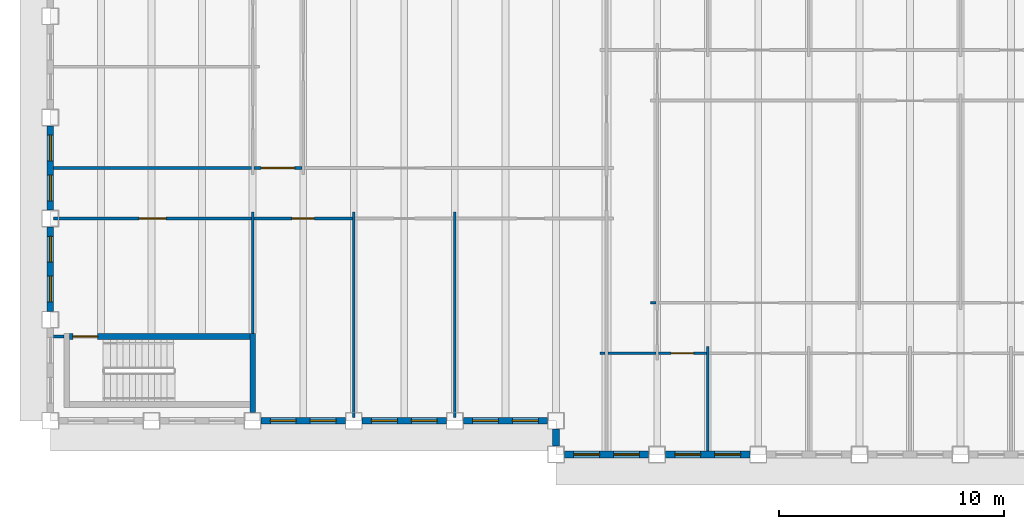
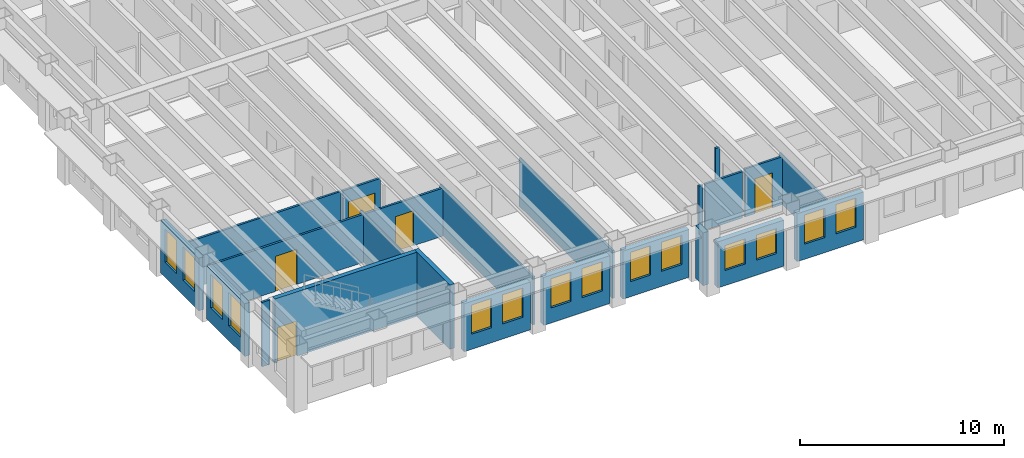
# One storey, part 3 of 17: 23 walls, 14 windows, 5 doors, 19 openings.
"""IFC4 building model written with IfcOpenShell, lengths in metres."""

from ifc_helpers import new_model, si_unit, direction, frame, frame_2d, origin, place, context, subcontext, project, spatial, rectangle, extrude, material, layer, layer_set, type_object, element, fill, save


model = new_model("IFC4")

# Units and contexts
model_context = context("Model", 3, precision=1e-05, world=origin(), true_north=direction((0.0, 1.0)))
body_context = subcontext(model_context, "Body", "Model", "MODEL_VIEW")
ifc_project = project(units=[si_unit("LENGTHUNIT", "METRE"), si_unit("AREAUNIT", "SQUARE_METRE"), si_unit("VOLUMEUNIT", "CUBIC_METRE"), si_unit("PLANEANGLEUNIT", "RADIAN"), si_unit("MASSUNIT", "GRAM", prefix="KILO")], contexts=[model_context])

# Site, building, storey
site_placement = place(None, origin())
site = spatial("IfcSite", under=ifc_project, at=site_placement, CompositionType="ELEMENT")
building_placement = place(site_placement, origin())
building = spatial("IfcBuilding", under=site, at=building_placement, Name="Sennacour Bend Tower", CompositionType="ELEMENT")
storey_placement = place(building_placement, frame((0.0, 0.0, 195.0)))
storey = spatial("IfcBuildingStorey", under=building, at=storey_placement, Name="L44", CompositionType="ELEMENT", Elevation=195.0)

# Walls
ifc_material_1 = material(Name="Plasterboard partition on steel studs", Category="steel")
ifc_layer_1 = layer(ifc_material_1, 0.1201171875, Name="Plasterboard partition on steel studs", Category="steel")
ifc_layer_set_1 = layer_set([ifc_layer_1], Name="Plasterboard partition on steel studs")
wall_type_1 = type_object("IfcWallType", Name="Partition 120", PredefinedType="PARTITIONING", material=ifc_layer_set_1)
wall_1_placement = place(storey_placement, frame((9.0, 3.875, 0.0), z_axis=(0.0, 0.0, 1.0), x_axis=(0.0, 1.0, 0.0)))
element("IfcWall", 1, at=wall_1_placement, inside=storey, type_object=wall_type_1, Name="P-L44-W011a", PredefinedType="PARTITIONING", context=body_context, shape_type="SweptSolid", body=[
    extrude(rectangle(XDim=5.425048828125, YDim=0.1201171875, at=frame_2d((2.71240234375, 0.0))), origin(), (0.0, 0.0, 1.0), 2.8701171875),
])
for number, where, z_axis, x_axis, name in (
    (2, (13.5, 0.14990234375, 0.0), (0.0, 0.0, 1.0), (0.0, 1.0, 0.0), "P-L44-W016a"),
    (3, (18.0, 0.14990234375, 0.0), (0.0, 0.0, 1.0), (0.0, 1.0, 0.0), "P-L44-W019a"),
):
    element("IfcWall", number, at=place(storey_placement, frame(where, z_axis=z_axis, x_axis=x_axis)), inside=storey, type_object=wall_type_1, Name=name, PredefinedType="PARTITIONING", context=body_context, shape_type="SweptSolid", body=[
        extrude(rectangle(XDim=9.150146484375, YDim=0.1201171875, at=frame_2d((4.5751953125, 0.0))), origin(), (0.0, 0.0, 1.0), 2.8701171875),
    ])
wall_2_placement = place(storey_placement, frame((29.25, -1.35009765625, 0.0), z_axis=(0.0, 0.0, 1.0), x_axis=(0.0, 1.0, 0.0)))
element("IfcWall", 4, at=wall_2_placement, inside=storey, type_object=wall_type_1, Name="P-L44-W026a", PredefinedType="PARTITIONING", context=body_context, shape_type="SweptSolid", body=[
    extrude(rectangle(XDim=4.650146484375, YDim=0.1201171875, at=frame_2d((2.3251953125, 0.0))), origin(), (0.0, 0.0, 1.0), 2.8701171875),
])
wall_3_placement = place(storey_placement, frame((24.449951171875, 3.0, 0.0), z_axis=(0.0, 0.0, 1.0), x_axis=(1.0, 0.0, 0.0)))
element("IfcWall", 5, at=wall_3_placement, inside=storey, type_object=wall_type_1, Name="P-L44-W053aa", PredefinedType="PARTITIONING", context=body_context, shape_type="SweptSolid", body=[
    extrude(rectangle(XDim=0.239990234375, YDim=0.1201171875, at=frame_2d((0.1201171875, 0.0))), origin(), (0.0, 0.0, 1.0), 2.760009765625),
])
wall_4_placement = place(storey_placement, frame((24.81005859375, 3.0, 0.0), z_axis=(0.0, 0.0, 1.0), x_axis=(1.0, 0.0, 0.0)))
element("IfcWall", 6, at=wall_4_placement, inside=storey, type_object=wall_type_1, Name="P-L44-W053ab", PredefinedType="PARTITIONING", context=body_context, shape_type="SweptSolid", body=[
    extrude(rectangle(XDim=2.1298828125, YDim=0.1201171875, at=frame_2d((1.06494140625, 0.0))), origin(), (0.0, 0.0, 1.0), 2.760009765625),
])

# Wall, opening, door
wall_5_placement = place(storey_placement, frame((27.06005859375, 3.0, 0.0), z_axis=(0.0, 0.0, 1.0), x_axis=(1.0, 0.0, 0.0)))
wall_5 = element("IfcWall", 7, at=wall_5_placement, inside=storey, type_object=wall_type_1, Name="P-L44-W053ac", PredefinedType="PARTITIONING", context=body_context, shape_type="SweptSolid", body=[
    extrude(rectangle(XDim=2.1298828125, YDim=0.1201171875, at=frame_2d((1.06494140625, 0.0))), origin(), (0.0, 0.0, 1.0), 2.8701171875),
])
opening_1_placement = place(wall_5_placement, frame((0.56494140625, 0.0, 0.0)))
opening_1 = element("IfcOpeningElement", 8, at=opening_1_placement, cuts=wall_5, Name="Opening OD2", PredefinedType="OPENING", context=body_context, shape_type="SweptSolid", body=[
    extrude(rectangle(XDim=1.0, YDim=2.10009765625, at=frame_2d((0.5, 1.050048828125))), frame((0.0, 0.070068359375, 0.0), z_axis=(0.0, -1.0, 0.0), x_axis=(1.0, 0.0, 0.0)), (0.0, 0.0, 1.0), 0.14013671875),
])
ifc_material_2 = material(Name="Timber", Category="wood")
door_type_1 = type_object("IfcDoorType", Name="DR-OFFICE-1000", OperationType="NOTDEFINED", PredefinedType="DOOR", material=ifc_material_2)
door_1_placement = place(opening_1_placement, origin())
door_1 = element("IfcDoor", 9, at=door_1_placement, inside=storey, type_object=door_type_1, Name="Door", OperationType="SINGLE_SWING_LEFT", OverallHeight=2.10009765625, OverallWidth=1.0, PredefinedType="DOOR", context=body_context, shape_type="SweptSolid", body=[
    extrude(rectangle(XDim=1.0, YDim=2.10009765625, at=frame_2d((0.5, 1.050048828125))), frame((0.0, 0.02490234375, 0.0), z_axis=(0.0, -1.0, 0.0), x_axis=(1.0, 0.0, 0.0)), (0.0, 0.0, 1.0), 0.050048828125),
])
fill(opening_1, door_1)

# Walls
wall_6_placement = place(storey_placement, frame((0.14990234375, 3.75, 0.0), z_axis=(0.0, 0.0, 1.0), x_axis=(1.0, 0.0, 0.0)))
element("IfcWall", 10, at=wall_6_placement, inside=storey, type_object=wall_type_1, Name="P-L44-W054a", PredefinedType="PARTITIONING", context=body_context, shape_type="SweptSolid", body=[
    extrude(rectangle(XDim=0.4501953125, YDim=0.1201171875, at=frame_2d((0.22509765625, 0.0))), origin(), (0.0, 0.0, 1.0), 3.85009765625),
])
wall_7_placement = place(storey_placement, frame((26.699951171875, 5.25, 0.0), z_axis=(0.0, 0.0, 1.0), x_axis=(1.0, 0.0, 0.0)))
element("IfcWall", 11, at=wall_7_placement, inside=storey, type_object=wall_type_1, Name="P-L44-W058aa", PredefinedType="PARTITIONING", context=body_context, shape_type="SweptSolid", body=[
    extrude(rectangle(XDim=0.239990234375, YDim=0.1201171875, at=frame_2d((0.1201171875, 0.0))), origin(), (0.0, 0.0, 1.0), 2.8701171875),
])

# Wall, opening, door
wall_8_placement = place(storey_placement, frame((9.06005859375, 9.0, 0.0), z_axis=(0.0, 0.0, 1.0), x_axis=(1.0, 0.0, 0.0)))
wall_8 = element("IfcWall", 12, at=wall_8_placement, inside=storey, type_object=wall_type_1, Name="P-L44-W061ab", PredefinedType="PARTITIONING", context=body_context, shape_type="SweptSolid", body=[
    extrude(rectangle(XDim=4.3798828125, YDim=0.1201171875, at=frame_2d((2.18994140625, 0.0))), origin(), (0.0, 0.0, 1.0), 2.8701171875),
])
opening_2_placement = place(wall_8_placement, frame((1.68994140625, 0.0, 0.0)))
opening_2 = element("IfcOpeningElement", 13, at=opening_2_placement, cuts=wall_8, Name="Opening OD2", PredefinedType="OPENING", context=body_context, shape_type="SweptSolid", body=[
    extrude(rectangle(XDim=1.0, YDim=2.10009765625, at=frame_2d((0.5, 1.050048828125))), frame((0.0, 0.070068359375, 0.0), z_axis=(0.0, -1.0, 0.0), x_axis=(1.0, 0.0, 0.0)), (0.0, 0.0, 1.0), 0.14013671875),
])
door_2_placement = place(opening_2_placement, origin())
door_2 = element("IfcDoor", 14, at=door_2_placement, inside=storey, type_object=door_type_1, Name="Door", OperationType="SINGLE_SWING_LEFT", OverallHeight=2.10009765625, OverallWidth=1.0, PredefinedType="DOOR", context=body_context, shape_type="SweptSolid", body=[
    extrude(rectangle(XDim=1.0, YDim=2.10009765625, at=frame_2d((0.5, 1.050048828125))), frame((0.0, 0.02490234375, 0.0), z_axis=(0.0, -1.0, 0.0), x_axis=(1.0, 0.0, 0.0)), (0.0, 0.0, 1.0), 0.050048828125),
])
fill(opening_2, door_2)

# Wall
wall_9_placement = place(storey_placement, frame((0.14990234375, 11.25, 0.0), z_axis=(0.0, 0.0, 1.0), x_axis=(1.0, 0.0, 0.0)))
element("IfcWall", 15, at=wall_9_placement, inside=storey, type_object=wall_type_1, Name="P-L44-W063aa", PredefinedType="PARTITIONING", context=body_context, shape_type="SweptSolid", body=[
    extrude(rectangle(XDim=8.7900390625, YDim=0.1201171875, at=frame_2d((4.39501953125, 0.0))), origin(), (0.0, 0.0, 1.0), 2.8701171875),
])

# Wall, opening, door
ifc_layer_2 = layer(ifc_material_1, 0.1201171875, Name="Plasterboard partition on steel studs", Category="steel")
ifc_layer_set_2 = layer_set([ifc_layer_2], Name="Plasterboard partition on steel studs")
wall_type_2 = type_object("IfcWallType", Name="Partition 120 EI 30", PredefinedType="PARTITIONING", material=ifc_layer_set_2)
wall_10_placement = place(storey_placement, frame((0.14990234375, 9.0, 0.0), z_axis=(0.0, 0.0, 1.0), x_axis=(1.0, 0.0, 0.0)))
wall_10 = element("IfcWall", 16, at=wall_10_placement, inside=storey, type_object=wall_type_2, Name="P-L44-W061aa", PredefinedType="PARTITIONING", context=body_context, shape_type="SweptSolid", body=[
    extrude(rectangle(XDim=8.7900390625, YDim=0.1201171875, at=frame_2d((4.39501953125, 0.0))), origin(), (0.0, 0.0, 1.0), 2.8701171875),
])
opening_3_placement = place(wall_10_placement, frame((3.80517578125, 0.0, 0.0)))
opening_3 = element("IfcOpeningElement", 17, at=opening_3_placement, cuts=wall_10, Name="Opening KD2", PredefinedType="OPENING", context=body_context, shape_type="SweptSolid", body=[
    extrude(rectangle(XDim=1.199951171875, YDim=2.10009765625, at=frame_2d((0.60009765625, 1.050048828125))), frame((0.0, 0.070068359375, 0.0), z_axis=(0.0, -1.0, 0.0), x_axis=(1.0, 0.0, 0.0)), (0.0, 0.0, 1.0), 0.14013671875),
])
ifc_material_3 = material(Name="Painted steel", Category="steel")
door_type_2 = type_object("IfcDoorType", Name="DR-CORRIDOR-1200", OperationType="NOTDEFINED", PredefinedType="DOOR", material=ifc_material_3)
door_3_placement = place(opening_3_placement, origin())
door_3 = element("IfcDoor", 18, at=door_3_placement, inside=storey, type_object=door_type_2, Name="Door", OperationType="SINGLE_SWING_LEFT", OverallHeight=2.10009765625, OverallWidth=1.199951171875, PredefinedType="DOOR", context=body_context, shape_type="SweptSolid", body=[
    extrude(rectangle(XDim=1.199951171875, YDim=2.10009765625, at=frame_2d((0.60009765625, 1.050048828125))), frame((0.0, 0.02490234375, 0.0), z_axis=(0.0, -1.0, 0.0), x_axis=(1.0, 0.0, 0.0)), (0.0, 0.0, 1.0), 0.050048828125),
])
fill(opening_3, door_3)

wall_11_placement = place(storey_placement, frame((9.06005859375, 11.25, 0.0), z_axis=(0.0, 0.0, 1.0), x_axis=(1.0, 0.0, 0.0)))
wall_11 = element("IfcWall", 19, at=wall_11_placement, inside=storey, type_object=wall_type_2, Name="P-L44-W063ab", PredefinedType="PARTITIONING", context=body_context, shape_type="SweptSolid", body=[
    extrude(rectangle(XDim=2.1298828125, YDim=0.1201171875, at=frame_2d((1.06494140625, 0.0))), origin(), (0.0, 0.0, 1.0), 2.8701171875),
])
opening_4_placement = place(wall_11_placement, frame((0.31494140625, 0.0, 0.0)))
opening_4 = element("IfcOpeningElement", 20, at=opening_4_placement, cuts=wall_11, Name="Opening KD", PredefinedType="OPENING", context=body_context, shape_type="SweptSolid", body=[
    extrude(rectangle(XDim=1.5, YDim=2.10009765625, at=frame_2d((0.75, 1.050048828125))), frame((0.0, 0.070068359375, 0.0), z_axis=(0.0, -1.0, 0.0), x_axis=(1.0, 0.0, 0.0)), (0.0, 0.0, 1.0), 0.14013671875),
])
door_type_3 = type_object("IfcDoorType", Name="DR-CORRIDOR-1500", OperationType="NOTDEFINED", PredefinedType="DOOR", material=ifc_material_3)
door_4_placement = place(opening_4_placement, origin())
door_4 = element("IfcDoor", 21, at=door_4_placement, inside=storey, type_object=door_type_3, Name="Door", OperationType="SINGLE_SWING_LEFT", OverallHeight=2.10009765625, OverallWidth=1.5, PredefinedType="DOOR", context=body_context, shape_type="SweptSolid", body=[
    extrude(rectangle(XDim=1.5, YDim=2.10009765625, at=frame_2d((0.75, 1.050048828125))), frame((0.0, 0.02490234375, 0.0), z_axis=(0.0, -1.0, 0.0), x_axis=(1.0, 0.0, 0.0)), (0.0, 0.0, 1.0), 0.050048828125),
])
fill(opening_4, door_4)

# Wall, openings, windows
ifc_material_4 = material(Name="Warm limestone cladding", Category="masonry")
ifc_layer_3 = layer(ifc_material_4, 0.050048828125, Name="Warm limestone cladding", Category="masonry")
ifc_material_5 = material(Name="Precast concrete C40/50", Category="concrete")
ifc_layer_4 = layer(ifc_material_5, 0.25, Name="Precast concrete C40/50", Category="concrete")
ifc_layer_set_3 = layer_set([ifc_layer_3, ifc_layer_4], Name="Precast concrete C40/50 with limestone cladding")
wall_type_3 = type_object("IfcWallType", Name="STONE-CLAD PRECAST SPANDREL 300", PredefinedType="STANDARD", material=ifc_layer_set_3)
wall_12_placement = place(storey_placement, frame((22.875, -1.5, 0.0), z_axis=(0.0, 0.0, 1.0), x_axis=(1.0, 0.0, 0.0)))
wall_12 = element("IfcWall", 22, at=wall_12_placement, inside=storey, type_object=wall_type_3, Name="Stone spandrel and pier wall L44 00.00", PredefinedType="STANDARD", context=body_context, shape_type="SweptSolid", body=[
    extrude(rectangle(XDim=3.75, YDim=0.300048828125, at=frame_2d((1.875, 0.0))), origin(), (0.0, 0.0, 1.0), 2.760009765625),
])
opening_5_placement = place(wall_12_placement, frame((0.41259765625, 0.0, 0.89990234375)))
opening_5 = element("IfcOpeningElement", 23, at=opening_5_placement, cuts=wall_12, Name="Opening W22", PredefinedType="OPENING", context=body_context, shape_type="SweptSolid", body=[
    extrude(rectangle(XDim=1.14990234375, YDim=1.5, at=frame_2d((0.574951171875, 0.75))), frame((0.0, 0.16015625, 0.0), z_axis=(0.0, -1.0, 0.0), x_axis=(1.0, 0.0, 0.0)), (0.0, 0.0, 1.0), 0.320068359375),
])
opening_6_placement = place(wall_12_placement, frame((2.1875, 0.0, 0.89990234375)))
opening_6 = element("IfcOpeningElement", 24, at=opening_6_placement, cuts=wall_12, Name="Opening W22", PredefinedType="OPENING", context=body_context, shape_type="SweptSolid", body=[
    extrude(rectangle(XDim=1.14990234375, YDim=1.5, at=frame_2d((0.574951171875, 0.75))), frame((0.0, 0.16015625, 0.0), z_axis=(0.0, -1.0, 0.0), x_axis=(1.0, 0.0, 0.0)), (0.0, 0.0, 1.0), 0.320068359375),
])
ifc_material_6 = material(Name="Clear low-emissivity glass", Category="glass")
window_type_1 = type_object("IfcWindowType", Name="WIN-RIBBON-1150x1500", PartitioningType="SINGLE_PANEL", PredefinedType="WINDOW", material=ifc_material_6)
window_1_placement = place(opening_5_placement, origin())
window_1 = element("IfcWindow", 25, at=window_1_placement, inside=storey, type_object=window_type_1, Name="Ribbon window L44 00.00.0", OverallHeight=1.5, OverallWidth=1.14990234375, PartitioningType="SINGLE_PANEL", PredefinedType="WINDOW", context=body_context, shape_type="SweptSolid", body=[
    extrude(rectangle(XDim=1.14990234375, YDim=1.5, at=frame_2d((0.574951171875, 0.75))), frame((0.0, 0.030029296875, 0.0), z_axis=(0.0, -1.0, 0.0), x_axis=(1.0, 0.0, 0.0)), (0.0, 0.0, 1.0), 0.06005859375),
])
fill(opening_5, window_1)
window_2_placement = place(opening_6_placement, origin())
window_2 = element("IfcWindow", 26, at=window_2_placement, inside=storey, type_object=window_type_1, Name="Ribbon window L44 00.00.1", OverallHeight=1.5, OverallWidth=1.14990234375, PartitioningType="SINGLE_PANEL", PredefinedType="WINDOW", context=body_context, shape_type="SweptSolid", body=[
    extrude(rectangle(XDim=1.14990234375, YDim=1.5, at=frame_2d((0.574951171875, 0.75))), frame((0.0, 0.030029296875, 0.0), z_axis=(0.0, -1.0, 0.0), x_axis=(1.0, 0.0, 0.0)), (0.0, 0.0, 1.0), 0.06005859375),
])
fill(opening_6, window_2)

wall_13_placement = place(storey_placement, frame((27.375, -1.5, 0.0), z_axis=(0.0, 0.0, 1.0), x_axis=(1.0, 0.0, 0.0)))
wall_13 = element("IfcWall", 27, at=wall_13_placement, inside=storey, type_object=wall_type_3, Name="Stone spandrel and pier wall L44 00.01", PredefinedType="STANDARD", context=body_context, shape_type="SweptSolid", body=[
    extrude(rectangle(XDim=3.75, YDim=0.300048828125, at=frame_2d((1.875, 0.0))), origin(), (0.0, 0.0, 1.0), 2.8701171875),
])
opening_7_placement = place(wall_13_placement, frame((0.41259765625, 0.0, 0.89990234375)))
opening_7 = element("IfcOpeningElement", 28, at=opening_7_placement, cuts=wall_13, Name="Opening W23", PredefinedType="OPENING", context=body_context, shape_type="SweptSolid", body=[
    extrude(rectangle(XDim=1.14990234375, YDim=1.75, at=frame_2d((0.574951171875, 0.875))), frame((0.0, 0.16015625, 0.0), z_axis=(0.0, -1.0, 0.0), x_axis=(1.0, 0.0, 0.0)), (0.0, 0.0, 1.0), 0.320068359375),
])
opening_8_placement = place(wall_13_placement, frame((2.1875, 0.0, 0.89990234375)))
opening_8 = element("IfcOpeningElement", 29, at=opening_8_placement, cuts=wall_13, Name="Opening W23", PredefinedType="OPENING", context=body_context, shape_type="SweptSolid", body=[
    extrude(rectangle(XDim=1.14990234375, YDim=1.75, at=frame_2d((0.574951171875, 0.875))), frame((0.0, 0.16015625, 0.0), z_axis=(0.0, -1.0, 0.0), x_axis=(1.0, 0.0, 0.0)), (0.0, 0.0, 1.0), 0.320068359375),
])
window_type_2 = type_object("IfcWindowType", Name="WIN-RIBBON-1150x1750", PartitioningType="SINGLE_PANEL", PredefinedType="WINDOW", material=ifc_material_6)
window_3_placement = place(opening_7_placement, origin())
window_3 = element("IfcWindow", 30, at=window_3_placement, inside=storey, type_object=window_type_2, Name="Ribbon window L44 00.01.0", OverallHeight=1.75, OverallWidth=1.14990234375, PartitioningType="SINGLE_PANEL", PredefinedType="WINDOW", context=body_context, shape_type="SweptSolid", body=[
    extrude(rectangle(XDim=1.14990234375, YDim=1.75, at=frame_2d((0.574951171875, 0.875))), frame((0.0, 0.030029296875, 0.0), z_axis=(0.0, -1.0, 0.0), x_axis=(1.0, 0.0, 0.0)), (0.0, 0.0, 1.0), 0.06005859375),
])
fill(opening_7, window_3)
window_4_placement = place(opening_8_placement, origin())
window_4 = element("IfcWindow", 31, at=window_4_placement, inside=storey, type_object=window_type_2, Name="Ribbon window L44 00.01.1", OverallHeight=1.75, OverallWidth=1.14990234375, PartitioningType="SINGLE_PANEL", PredefinedType="WINDOW", context=body_context, shape_type="SweptSolid", body=[
    extrude(rectangle(XDim=1.14990234375, YDim=1.75, at=frame_2d((0.574951171875, 0.875))), frame((0.0, 0.030029296875, 0.0), z_axis=(0.0, -1.0, 0.0), x_axis=(1.0, 0.0, 0.0)), (0.0, 0.0, 1.0), 0.06005859375),
])
fill(opening_8, window_4)

wall_14_placement = place(storey_placement, frame((0.0, 13.125, 0.0), z_axis=(0.0, 0.0, 1.0), x_axis=(0.0, -1.0, 0.0)))
wall_14 = element("IfcWall", 32, at=wall_14_placement, inside=storey, type_object=wall_type_3, Name="Stone spandrel and pier wall L44 21.02", PredefinedType="STANDARD", context=body_context, shape_type="SweptSolid", body=[
    extrude(rectangle(XDim=3.75, YDim=0.300048828125, at=frame_2d((1.875, 0.0))), origin(), (0.0, 0.0, 1.0), 3.156982421875),
])
opening_9_placement = place(wall_14_placement, frame((0.41259765625, 0.0, 0.89990234375)))
opening_9 = element("IfcOpeningElement", 33, at=opening_9_placement, cuts=wall_14, Name="Opening W24", PredefinedType="OPENING", context=body_context, shape_type="SweptSolid", body=[
    extrude(rectangle(XDim=1.14990234375, YDim=2.0, at=frame_2d((0.574951171875, 1.0))), frame((0.0, 0.16015625, 0.0), z_axis=(0.0, -1.0, 0.0), x_axis=(1.0, 0.0, 0.0)), (0.0, 0.0, 1.0), 0.320068359375),
])
opening_10_placement = place(wall_14_placement, frame((2.1875, 0.0, 0.89990234375)))
opening_10 = element("IfcOpeningElement", 34, at=opening_10_placement, cuts=wall_14, Name="Opening W24", PredefinedType="OPENING", context=body_context, shape_type="SweptSolid", body=[
    extrude(rectangle(XDim=1.14990234375, YDim=2.0, at=frame_2d((0.574951171875, 1.0))), frame((0.0, 0.16015625, 0.0), z_axis=(0.0, -1.0, 0.0), x_axis=(1.0, 0.0, 0.0)), (0.0, 0.0, 1.0), 0.320068359375),
])
window_type_3 = type_object("IfcWindowType", Name="WIN-RIBBON-1150x2000", PartitioningType="SINGLE_PANEL", PredefinedType="WINDOW", material=ifc_material_6)
window_5_placement = place(opening_9_placement, origin())
window_5 = element("IfcWindow", 35, at=window_5_placement, inside=storey, type_object=window_type_3, Name="Ribbon window L44 21.02.0", OverallHeight=2.0, OverallWidth=1.14990234375, PartitioningType="SINGLE_PANEL", PredefinedType="WINDOW", context=body_context, shape_type="SweptSolid", body=[
    extrude(rectangle(XDim=1.14990234375, YDim=2.0, at=frame_2d((0.574951171875, 1.0))), frame((0.0, 0.030029296875, 0.0), z_axis=(0.0, -1.0, 0.0), x_axis=(1.0, 0.0, 0.0)), (0.0, 0.0, 1.0), 0.06005859375),
])
fill(opening_9, window_5)
window_6_placement = place(opening_10_placement, origin())
window_6 = element("IfcWindow", 36, at=window_6_placement, inside=storey, type_object=window_type_3, Name="Ribbon window L44 21.02.1", OverallHeight=2.0, OverallWidth=1.14990234375, PartitioningType="SINGLE_PANEL", PredefinedType="WINDOW", context=body_context, shape_type="SweptSolid", body=[
    extrude(rectangle(XDim=1.14990234375, YDim=2.0, at=frame_2d((0.574951171875, 1.0))), frame((0.0, 0.030029296875, 0.0), z_axis=(0.0, -1.0, 0.0), x_axis=(1.0, 0.0, 0.0)), (0.0, 0.0, 1.0), 0.06005859375),
])
fill(opening_10, window_6)

wall_15_placement = place(storey_placement, frame((0.0, 8.625, 0.0), z_axis=(0.0, 0.0, 1.0), x_axis=(0.0, -1.0, 0.0)))
wall_15 = element("IfcWall", 37, at=wall_15_placement, inside=storey, type_object=wall_type_3, Name="Stone spandrel and pier wall L44 21.03", PredefinedType="STANDARD", context=body_context, shape_type="SweptSolid", body=[
    extrude(rectangle(XDim=3.75, YDim=0.300048828125, at=frame_2d((1.875, 0.0))), origin(), (0.0, 0.0, 1.0), 3.156982421875),
])
opening_11_placement = place(wall_15_placement, frame((0.41259765625, 0.0, 0.89990234375)))
opening_11 = element("IfcOpeningElement", 38, at=opening_11_placement, cuts=wall_15, Name="Opening W24", PredefinedType="OPENING", context=body_context, shape_type="SweptSolid", body=[
    extrude(rectangle(XDim=1.14990234375, YDim=2.0, at=frame_2d((0.574951171875, 1.0))), frame((0.0, 0.16015625, 0.0), z_axis=(0.0, -1.0, 0.0), x_axis=(1.0, 0.0, 0.0)), (0.0, 0.0, 1.0), 0.320068359375),
])
opening_12_placement = place(wall_15_placement, frame((2.1875, 0.0, 0.89990234375)))
opening_12 = element("IfcOpeningElement", 39, at=opening_12_placement, cuts=wall_15, Name="Opening W24", PredefinedType="OPENING", context=body_context, shape_type="SweptSolid", body=[
    extrude(rectangle(XDim=1.14990234375, YDim=2.0, at=frame_2d((0.574951171875, 1.0))), frame((0.0, 0.16015625, 0.0), z_axis=(0.0, -1.0, 0.0), x_axis=(1.0, 0.0, 0.0)), (0.0, 0.0, 1.0), 0.320068359375),
])
window_7_placement = place(opening_11_placement, origin())
window_7 = element("IfcWindow", 40, at=window_7_placement, inside=storey, type_object=window_type_3, Name="Ribbon window L44 21.03.0", OverallHeight=2.0, OverallWidth=1.14990234375, PartitioningType="SINGLE_PANEL", PredefinedType="WINDOW", context=body_context, shape_type="SweptSolid", body=[
    extrude(rectangle(XDim=1.14990234375, YDim=2.0, at=frame_2d((0.574951171875, 1.0))), frame((0.0, 0.030029296875, 0.0), z_axis=(0.0, -1.0, 0.0), x_axis=(1.0, 0.0, 0.0)), (0.0, 0.0, 1.0), 0.06005859375),
])
fill(opening_11, window_7)
window_8_placement = place(opening_12_placement, origin())
window_8 = element("IfcWindow", 41, at=window_8_placement, inside=storey, type_object=window_type_3, Name="Ribbon window L44 21.03.1", OverallHeight=2.0, OverallWidth=1.14990234375, PartitioningType="SINGLE_PANEL", PredefinedType="WINDOW", context=body_context, shape_type="SweptSolid", body=[
    extrude(rectangle(XDim=1.14990234375, YDim=2.0, at=frame_2d((0.574951171875, 1.0))), frame((0.0, 0.030029296875, 0.0), z_axis=(0.0, -1.0, 0.0), x_axis=(1.0, 0.0, 0.0)), (0.0, 0.0, 1.0), 0.06005859375),
])
fill(opening_12, window_8)

wall_16_placement = place(storey_placement, frame((9.375, 0.0, 0.0), z_axis=(0.0, 0.0, 1.0), x_axis=(1.0, 0.0, 0.0)))
wall_16 = element("IfcWall", 42, at=wall_16_placement, inside=storey, type_object=wall_type_3, Name="Stone spandrel and pier wall L44 22.02", PredefinedType="STANDARD", context=body_context, shape_type="SweptSolid", body=[
    extrude(rectangle(XDim=3.75, YDim=0.300048828125, at=frame_2d((1.875, 0.0))), origin(), (0.0, 0.0, 1.0), 2.8701171875),
])
opening_13_placement = place(wall_16_placement, frame((0.41259765625, 0.0, 0.89990234375)))
opening_13 = element("IfcOpeningElement", 43, at=opening_13_placement, cuts=wall_16, Name="Opening W23", PredefinedType="OPENING", context=body_context, shape_type="SweptSolid", body=[
    extrude(rectangle(XDim=1.14990234375, YDim=1.75, at=frame_2d((0.574951171875, 0.875))), frame((0.0, 0.16015625, 0.0), z_axis=(0.0, -1.0, 0.0), x_axis=(1.0, 0.0, 0.0)), (0.0, 0.0, 1.0), 0.320068359375),
])
opening_14_placement = place(wall_16_placement, frame((2.1875, 0.0, 0.89990234375)))
opening_14 = element("IfcOpeningElement", 44, at=opening_14_placement, cuts=wall_16, Name="Opening W23", PredefinedType="OPENING", context=body_context, shape_type="SweptSolid", body=[
    extrude(rectangle(XDim=1.14990234375, YDim=1.75, at=frame_2d((0.574951171875, 0.875))), frame((0.0, 0.16015625, 0.0), z_axis=(0.0, -1.0, 0.0), x_axis=(1.0, 0.0, 0.0)), (0.0, 0.0, 1.0), 0.320068359375),
])
window_9_placement = place(opening_13_placement, origin())
window_9 = element("IfcWindow", 45, at=window_9_placement, inside=storey, type_object=window_type_2, Name="Ribbon window L44 22.02.0", OverallHeight=1.75, OverallWidth=1.14990234375, PartitioningType="SINGLE_PANEL", PredefinedType="WINDOW", context=body_context, shape_type="SweptSolid", body=[
    extrude(rectangle(XDim=1.14990234375, YDim=1.75, at=frame_2d((0.574951171875, 0.875))), frame((0.0, 0.030029296875, 0.0), z_axis=(0.0, -1.0, 0.0), x_axis=(1.0, 0.0, 0.0)), (0.0, 0.0, 1.0), 0.06005859375),
])
fill(opening_13, window_9)
window_10_placement = place(opening_14_placement, origin())
window_10 = element("IfcWindow", 46, at=window_10_placement, inside=storey, type_object=window_type_2, Name="Ribbon window L44 22.02.1", OverallHeight=1.75, OverallWidth=1.14990234375, PartitioningType="SINGLE_PANEL", PredefinedType="WINDOW", context=body_context, shape_type="SweptSolid", body=[
    extrude(rectangle(XDim=1.14990234375, YDim=1.75, at=frame_2d((0.574951171875, 0.875))), frame((0.0, 0.030029296875, 0.0), z_axis=(0.0, -1.0, 0.0), x_axis=(1.0, 0.0, 0.0)), (0.0, 0.0, 1.0), 0.06005859375),
])
fill(opening_14, window_10)

wall_17_placement = place(storey_placement, frame((13.875, 0.0, 0.0), z_axis=(0.0, 0.0, 1.0), x_axis=(1.0, 0.0, 0.0)))
wall_17 = element("IfcWall", 47, at=wall_17_placement, inside=storey, type_object=wall_type_3, Name="Stone spandrel and pier wall L44 22.03", PredefinedType="STANDARD", context=body_context, shape_type="SweptSolid", body=[
    extrude(rectangle(XDim=3.75, YDim=0.300048828125, at=frame_2d((1.875, 0.0))), origin(), (0.0, 0.0, 1.0), 2.8701171875),
])
opening_15_placement = place(wall_17_placement, frame((0.41259765625, 0.0, 0.89990234375)))
opening_15 = element("IfcOpeningElement", 48, at=opening_15_placement, cuts=wall_17, Name="Opening W23", PredefinedType="OPENING", context=body_context, shape_type="SweptSolid", body=[
    extrude(rectangle(XDim=1.14990234375, YDim=1.75, at=frame_2d((0.574951171875, 0.875))), frame((0.0, 0.16015625, 0.0), z_axis=(0.0, -1.0, 0.0), x_axis=(1.0, 0.0, 0.0)), (0.0, 0.0, 1.0), 0.320068359375),
])
opening_16_placement = place(wall_17_placement, frame((2.1875, 0.0, 0.89990234375)))
opening_16 = element("IfcOpeningElement", 49, at=opening_16_placement, cuts=wall_17, Name="Opening W23", PredefinedType="OPENING", context=body_context, shape_type="SweptSolid", body=[
    extrude(rectangle(XDim=1.14990234375, YDim=1.75, at=frame_2d((0.574951171875, 0.875))), frame((0.0, 0.16015625, 0.0), z_axis=(0.0, -1.0, 0.0), x_axis=(1.0, 0.0, 0.0)), (0.0, 0.0, 1.0), 0.320068359375),
])
window_11_placement = place(opening_15_placement, origin())
window_11 = element("IfcWindow", 50, at=window_11_placement, inside=storey, type_object=window_type_2, Name="Ribbon window L44 22.03.0", OverallHeight=1.75, OverallWidth=1.14990234375, PartitioningType="SINGLE_PANEL", PredefinedType="WINDOW", context=body_context, shape_type="SweptSolid", body=[
    extrude(rectangle(XDim=1.14990234375, YDim=1.75, at=frame_2d((0.574951171875, 0.875))), frame((0.0, 0.030029296875, 0.0), z_axis=(0.0, -1.0, 0.0), x_axis=(1.0, 0.0, 0.0)), (0.0, 0.0, 1.0), 0.06005859375),
])
fill(opening_15, window_11)
window_12_placement = place(opening_16_placement, origin())
window_12 = element("IfcWindow", 51, at=window_12_placement, inside=storey, type_object=window_type_2, Name="Ribbon window L44 22.03.1", OverallHeight=1.75, OverallWidth=1.14990234375, PartitioningType="SINGLE_PANEL", PredefinedType="WINDOW", context=body_context, shape_type="SweptSolid", body=[
    extrude(rectangle(XDim=1.14990234375, YDim=1.75, at=frame_2d((0.574951171875, 0.875))), frame((0.0, 0.030029296875, 0.0), z_axis=(0.0, -1.0, 0.0), x_axis=(1.0, 0.0, 0.0)), (0.0, 0.0, 1.0), 0.06005859375),
])
fill(opening_16, window_12)

wall_18_placement = place(storey_placement, frame((18.375, 0.0, 0.0), z_axis=(0.0, 0.0, 1.0), x_axis=(1.0, 0.0, 0.0)))
wall_18 = element("IfcWall", 52, at=wall_18_placement, inside=storey, type_object=wall_type_3, Name="Stone spandrel and pier wall L44 22.04", PredefinedType="STANDARD", context=body_context, shape_type="SweptSolid", body=[
    extrude(rectangle(XDim=3.75, YDim=0.300048828125, at=frame_2d((1.875, 0.0))), origin(), (0.0, 0.0, 1.0), 2.8701171875),
])
opening_17_placement = place(wall_18_placement, frame((0.41259765625, 0.0, 0.89990234375)))
opening_17 = element("IfcOpeningElement", 53, at=opening_17_placement, cuts=wall_18, Name="Opening W23", PredefinedType="OPENING", context=body_context, shape_type="SweptSolid", body=[
    extrude(rectangle(XDim=1.14990234375, YDim=1.75, at=frame_2d((0.574951171875, 0.875))), frame((0.0, 0.16015625, 0.0), z_axis=(0.0, -1.0, 0.0), x_axis=(1.0, 0.0, 0.0)), (0.0, 0.0, 1.0), 0.320068359375),
])
opening_18_placement = place(wall_18_placement, frame((2.1875, 0.0, 0.89990234375)))
opening_18 = element("IfcOpeningElement", 54, at=opening_18_placement, cuts=wall_18, Name="Opening W23", PredefinedType="OPENING", context=body_context, shape_type="SweptSolid", body=[
    extrude(rectangle(XDim=1.14990234375, YDim=1.75, at=frame_2d((0.574951171875, 0.875))), frame((0.0, 0.16015625, 0.0), z_axis=(0.0, -1.0, 0.0), x_axis=(1.0, 0.0, 0.0)), (0.0, 0.0, 1.0), 0.320068359375),
])
window_13_placement = place(opening_17_placement, origin())
window_13 = element("IfcWindow", 55, at=window_13_placement, inside=storey, type_object=window_type_2, Name="Ribbon window L44 22.04.0", OverallHeight=1.75, OverallWidth=1.14990234375, PartitioningType="SINGLE_PANEL", PredefinedType="WINDOW", context=body_context, shape_type="SweptSolid", body=[
    extrude(rectangle(XDim=1.14990234375, YDim=1.75, at=frame_2d((0.574951171875, 0.875))), frame((0.0, 0.030029296875, 0.0), z_axis=(0.0, -1.0, 0.0), x_axis=(1.0, 0.0, 0.0)), (0.0, 0.0, 1.0), 0.06005859375),
])
fill(opening_17, window_13)
window_14_placement = place(opening_18_placement, origin())
window_14 = element("IfcWindow", 56, at=window_14_placement, inside=storey, type_object=window_type_2, Name="Ribbon window L44 22.04.1", OverallHeight=1.75, OverallWidth=1.14990234375, PartitioningType="SINGLE_PANEL", PredefinedType="WINDOW", context=body_context, shape_type="SweptSolid", body=[
    extrude(rectangle(XDim=1.14990234375, YDim=1.75, at=frame_2d((0.574951171875, 0.875))), frame((0.0, 0.030029296875, 0.0), z_axis=(0.0, -1.0, 0.0), x_axis=(1.0, 0.0, 0.0)), (0.0, 0.0, 1.0), 0.06005859375),
])
fill(opening_18, window_14)

# Walls
wall_19_placement = place(storey_placement, frame((22.5, -0.375, 0.0), z_axis=(0.0, 0.0, 1.0), x_axis=(0.0, -1.0, 0.0)))
element("IfcWall", 57, at=wall_19_placement, inside=storey, type_object=wall_type_3, Name="Stone spandrel and pier wall L44 23.00", PredefinedType="STANDARD", context=body_context, shape_type="SweptSolid", body=[
    extrude(rectangle(XDim=0.75, YDim=0.300048828125, at=frame_2d((0.375, 0.0))), origin(), (0.0, 0.0, 1.0), 3.156982421875),
])
ifc_material_7 = material(Name="Concrete C60/75", Category="concrete")
ifc_layer_5 = layer(ifc_material_7, 0.25, Name="Concrete C60/75", Category="concrete")
ifc_layer_set_4 = layer_set([ifc_layer_5], Name="Concrete C60/75")
wall_type_4 = type_object("IfcWallType", Name="Stair wall 250", PredefinedType="SHEAR", material=ifc_layer_set_4)
wall_20_placement = place(storey_placement, frame((9.0, 0.375, 0.0), z_axis=(0.0, 0.0, 1.0), x_axis=(0.0, 1.0, 0.0)))
element("IfcWall", 58, at=wall_20_placement, inside=storey, type_object=wall_type_4, Name="P-L44-W010", PredefinedType="SHEAR", context=body_context, shape_type="SweptSolid", body=[
    extrude(rectangle(XDim=3.5, YDim=0.25, at=frame_2d((1.75, 0.0))), origin(), (0.0, 0.0, 1.0), 3.85009765625),
])

# Wall, opening, door
wall_21_placement = place(storey_placement, frame((0.85009765625, 3.75, 0.0), z_axis=(0.0, 0.0, 1.0), x_axis=(1.0, 0.0, 0.0)))
wall_21 = element("IfcWall", 59, at=wall_21_placement, inside=storey, type_object=wall_type_4, Name="P-L44-W055", PredefinedType="SHEAR", context=body_context, shape_type="SweptSolid", body=[
    extrude(rectangle(XDim=8.02490234375, YDim=0.25, at=frame_2d((4.012451171875, 0.0))), origin(), (0.0, 0.0, 1.0), 3.85009765625),
])
opening_19_placement = place(wall_21_placement, frame((0.14990234375, 0.0, 0.0)))
opening_19 = element("IfcOpeningElement", 60, at=opening_19_placement, cuts=wall_21, Name="Opening SD", PredefinedType="OPENING", context=body_context, shape_type="SweptSolid", body=[
    extrude(rectangle(XDim=1.10009765625, YDim=2.10009765625, at=frame_2d((0.550048828125, 1.050048828125))), frame((0.0, 0.135009765625, 0.0), z_axis=(0.0, -1.0, 0.0), x_axis=(1.0, 0.0, 0.0)), (0.0, 0.0, 1.0), 0.27001953125),
])
door_type_4 = type_object("IfcDoorType", Name="DR-STAIR-1100", OperationType="NOTDEFINED", PredefinedType="DOOR", material=ifc_material_3)
door_5_placement = place(opening_19_placement, origin())
door_5 = element("IfcDoor", 61, at=door_5_placement, inside=storey, type_object=door_type_4, Name="Door", OperationType="SINGLE_SWING_LEFT", OverallHeight=2.10009765625, OverallWidth=1.10009765625, PredefinedType="DOOR", context=body_context, shape_type="SweptSolid", body=[
    extrude(rectangle(XDim=1.10009765625, YDim=2.10009765625, at=frame_2d((0.550048828125, 1.050048828125))), frame((0.0, 0.02490234375, 0.0), z_axis=(0.0, -1.0, 0.0), x_axis=(1.0, 0.0, 0.0)), (0.0, 0.0, 1.0), 0.050048828125),
])
fill(opening_19, door_5)

save(model, "model.ifc")
